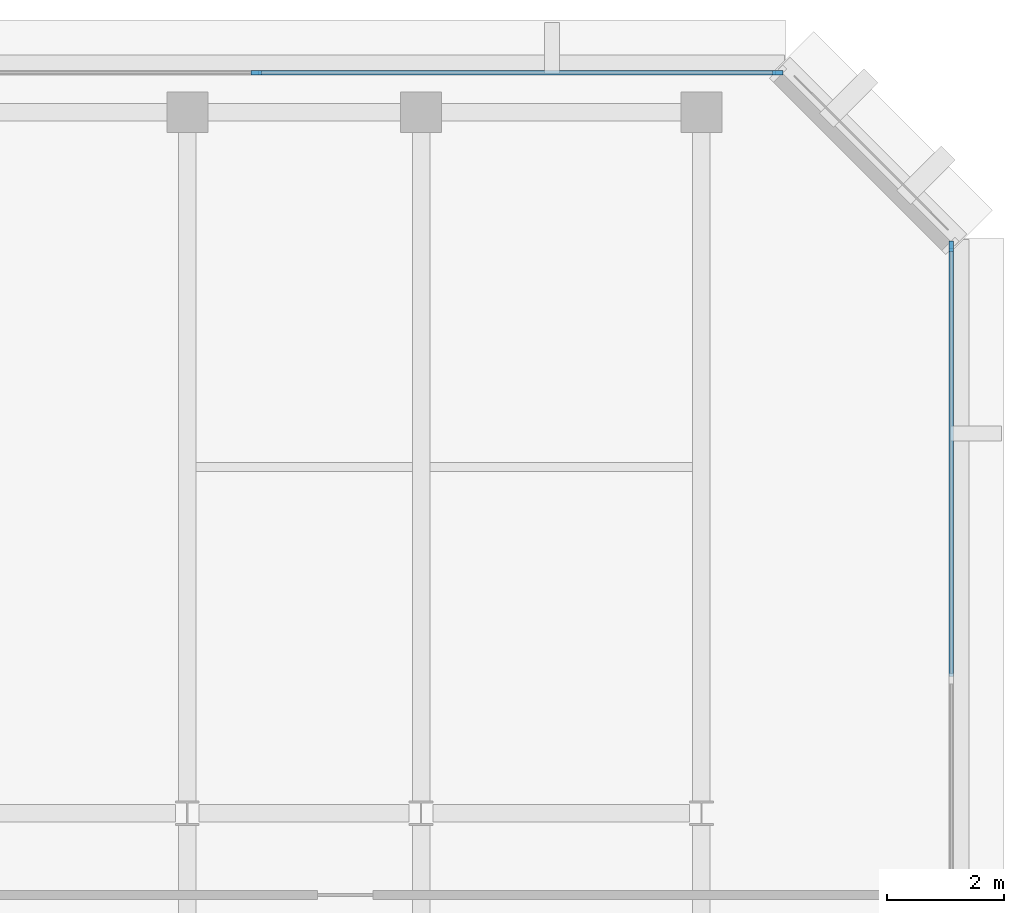
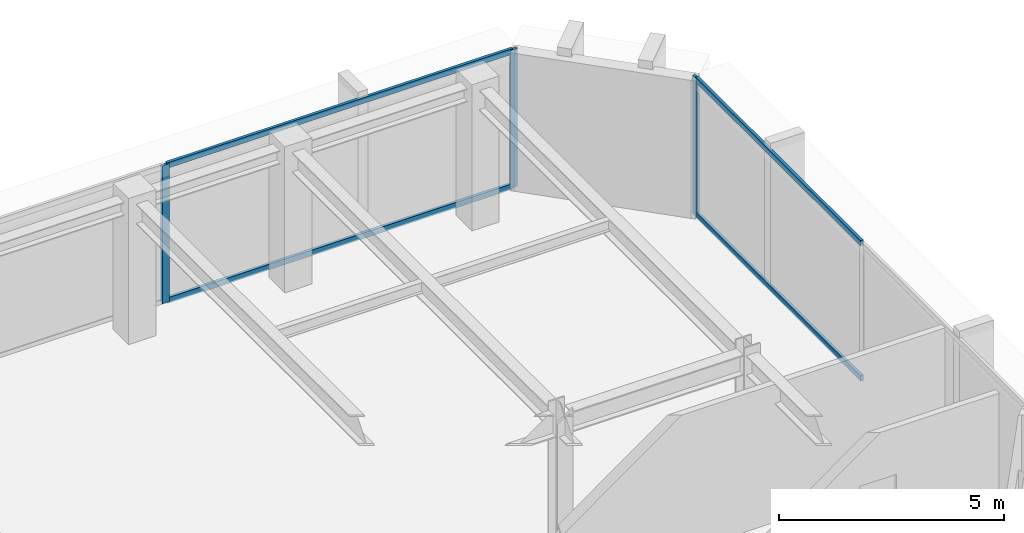
# One storey, part 5 of 11: 7 members, 2 elements without a shape of their own.
"""IFC4 building model written with IfcOpenShell, lengths in metres."""

from ifc_helpers import new_model, si_unit, direction, frame, origin, origin_2d, place, context, subcontext, project, spatial, rectangle, extrude, material, layer, layer_set, material_profile, profile_set, type_object, element, aggregate, save


model = new_model("IFC4")

# Units and contexts
model_context = context("Model", 3, precision=1e-05, world=origin(), true_north=direction((0.0, 1.0)))
body_context = subcontext(model_context, "Body", "Model", "MODEL_VIEW")
ifc_project = project(units=[si_unit("LENGTHUNIT", "METRE"), si_unit("AREAUNIT", "SQUARE_METRE"), si_unit("VOLUMEUNIT", "CUBIC_METRE"), si_unit("PLANEANGLEUNIT", "RADIAN"), si_unit("MASSUNIT", "GRAM", prefix="KILO")], contexts=[model_context])

# Site, building, storey
site_placement = place(None, origin())
site = spatial("IfcSite", under=ifc_project, at=site_placement, CompositionType="ELEMENT")
building_placement = place(site_placement, origin())
building = spatial("IfcBuilding", under=site, at=building_placement, Name="Kefirva Bronze Tower", CompositionType="ELEMENT")
storey_placement = place(building_placement, frame((0.0, 0.0, 331.64990234375)))
storey = spatial("IfcBuildingStorey", under=building, at=storey_placement, Name="L81", CompositionType="ELEMENT", Elevation=331.64990234375)

# Curtain wall, member
ifc_material = material(Name="Bronze anodised aluminium", Category="aluminium")
ifc_layer = layer(ifc_material, 0.179931640625, Name="Bronze anodised aluminium")
ifc_layer_set = layer_set([ifc_layer], Name="Bronze anodised aluminium")
curtain_wall_type = type_object("IfcCurtainWallType", Name="Unitised Bronze Ribbon Curtain Wall Zone 4", PredefinedType="USERDEFINED", material=ifc_layer_set)
curtain_wall_1_placement = place(storey_placement, origin())
curtain_wall_1 = element("IfcCurtainWall", 1, at=curtain_wall_1_placement, inside=storey, type_object=curtain_wall_type, Name="L81 Curtain Wall 3", ObjectType="UNITISED CURTAIN WALL", PredefinedType="USERDEFINED")
ifc_material_profile_1 = material_profile(ifc_material, rectangle(XDim=0.074951171875, YDim=0.179931640625, at=origin_2d()), Name="ALU 75x180")
ifc_profile_set_1 = profile_set([ifc_material_profile_1], Name="Bronze anodised aluminium")
member_type_1 = type_object("IfcMemberType", Name="Bronze Mullion 75x180", PredefinedType="MULLION", material=ifc_profile_set_1)
member_1_placement = place(storey_placement, frame((44.280029296875, 42.907470703125, 0.0), z_axis=(0.0, 0.0, 1.0), x_axis=(-1.0, 0.0, 0.0)))
member_1 = element("IfcMember", 2, at=member_1_placement, type_object=member_type_1, Name="CW-04 mullion 3", PredefinedType="MULLION", context=body_context, shape_type="SweptSolid", body=[
    extrude(rectangle(XDim=0.074951171875, YDim=0.179931640625, at=origin_2d()), origin(), (0.0, 0.0, 1.0), 3.739990234375),
])

# Curtain wall, members
curtain_wall_2_placement = place(storey_placement, origin())
curtain_wall_2 = element("IfcCurtainWall", 3, at=curtain_wall_2_placement, inside=storey, type_object=curtain_wall_type, Name="L81 Curtain Wall 4", ObjectType="UNITISED CURTAIN WALL", PredefinedType="USERDEFINED")
member_2_placement = place(storey_placement, frame((41.3076171875, 45.8798828125, 0.0), z_axis=(0.0, 0.0, 1.0), x_axis=(0.0, -1.0, 0.0)))
member_2 = element("IfcMember", 4, at=member_2_placement, type_object=member_type_1, Name="CW-04 mullion 1", PredefinedType="MULLION", context=body_context, shape_type="SweptSolid", body=[
    extrude(rectangle(XDim=0.074951171875, YDim=0.179931640625, at=origin_2d()), origin(), (0.0, 0.0, 1.0), 3.739990234375),
])
member_3_placement = place(storey_placement, frame((32.375, 45.8798828125, 0.0), z_axis=(0.0, 0.0, 1.0), x_axis=(0.0, -1.0, 0.0)))
member_3 = element("IfcMember", 5, at=member_3_placement, type_object=member_type_1, Name="CW-04 mullion 2", PredefinedType="MULLION", context=body_context, shape_type="SweptSolid", body=[
    extrude(rectangle(XDim=0.074951171875, YDim=0.179931640625, at=origin_2d()), origin(), (0.0, 0.0, 1.0), 3.739990234375),
])

# Member
ifc_material_profile_2 = material_profile(ifc_material, rectangle(XDim=0.074951171875, YDim=0.14990234375, at=origin_2d()), Name="ALU 75x150")
ifc_profile_set_2 = profile_set([ifc_material_profile_2], Name="Bronze anodised aluminium")
member_type_2 = type_object("IfcMemberType", Name="Bronze Transom 75x150", PredefinedType="USERDEFINED", material=ifc_profile_set_2)
member_4_placement = place(storey_placement, frame((44.280029296875, 35.53759765625, 0.03759765625), z_axis=(0.0, 1.0, 0.0), x_axis=(-1.0, 0.0, 0.0)))
member_4 = element("IfcMember", 6, at=member_4_placement, type_object=member_type_2, Name="CW-04 transom 2.1", ObjectType="TRANSOM", PredefinedType="USERDEFINED", context=body_context, shape_type="SweptSolid", body=[
    extrude(rectangle(XDim=0.074951171875, YDim=0.14990234375, at=origin_2d()), origin(), (0.0, 0.0, 1.0), 7.33251953125),
])

member_5_placement = place(storey_placement, frame((44.280029296875, 35.53759765625, 3.70263671875), z_axis=(0.0, 1.0, 0.0), x_axis=(-1.0, 0.0, 0.0)))
member_5 = element("IfcMember", 7, at=member_5_placement, type_object=member_type_2, Name="CW-04 transom 2.2", ObjectType="TRANSOM", PredefinedType="USERDEFINED", context=body_context, shape_type="SweptSolid", body=[
    extrude(rectangle(XDim=0.074951171875, YDim=0.14990234375, at=origin_2d()), origin(), (0.0, 0.0, 1.0), 7.33251953125),
])

aggregate(curtain_wall_1, [member_1, member_4, member_5])

member_6_placement = place(storey_placement, frame((41.27001953125, 45.8798828125, 0.03759765625), z_axis=(-1.0, 0.0, 0.0), x_axis=(0.0, -1.0, 0.0)))
member_6 = element("IfcMember", 8, at=member_6_placement, type_object=member_type_2, Name="CW-04 transom 1.1", ObjectType="TRANSOM", PredefinedType="USERDEFINED", context=body_context, shape_type="SweptSolid", body=[
    extrude(rectangle(XDim=0.074951171875, YDim=0.14990234375, at=origin_2d()), origin(), (0.0, 0.0, 1.0), 8.857421875),
])

member_7_placement = place(storey_placement, frame((41.27001953125, 45.8798828125, 3.70263671875), z_axis=(-1.0, 0.0, 0.0), x_axis=(0.0, -1.0, 0.0)))
member_7 = element("IfcMember", 9, at=member_7_placement, type_object=member_type_2, Name="CW-04 transom 1.2", ObjectType="TRANSOM", PredefinedType="USERDEFINED", context=body_context, shape_type="SweptSolid", body=[
    extrude(rectangle(XDim=0.074951171875, YDim=0.14990234375, at=origin_2d()), origin(), (0.0, 0.0, 1.0), 8.857421875),
])

aggregate(curtain_wall_2, [member_2, member_3, member_6, member_7])

save(model, "model.ifc")
